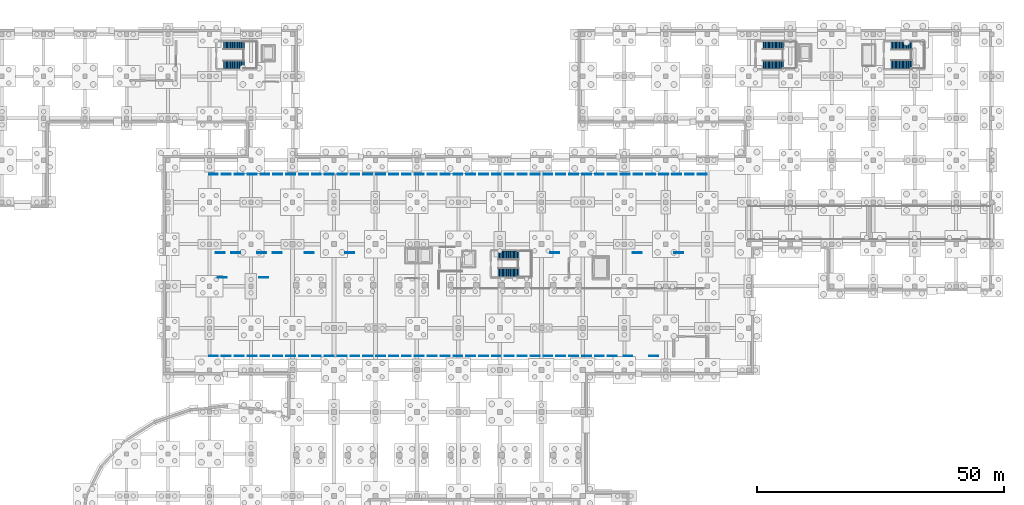
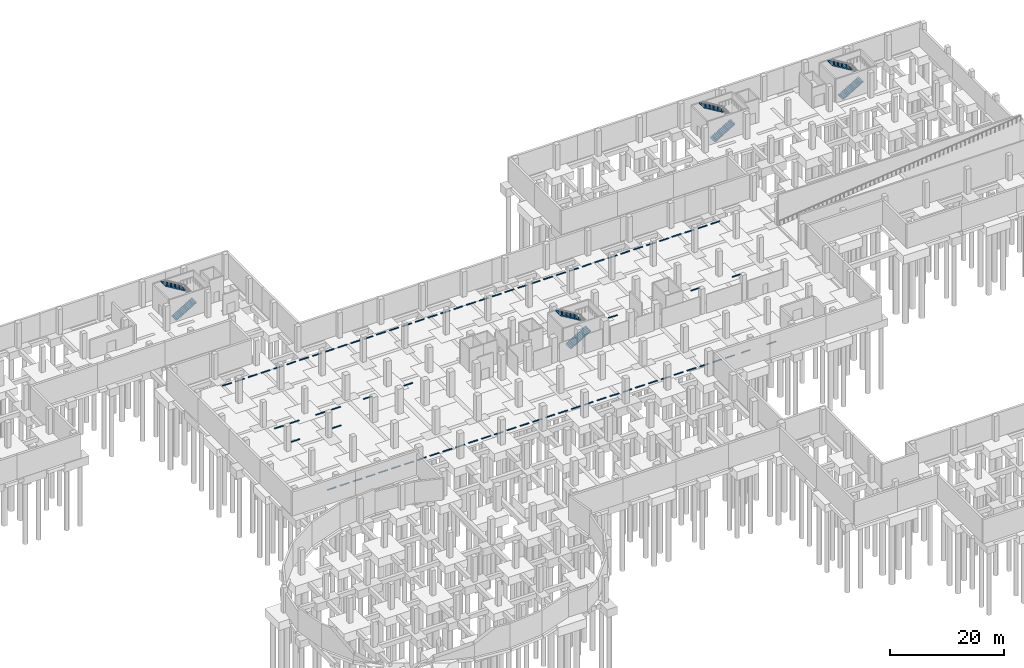
# One storey, part 31 of 34: 84 discrete accessories, 8 stair flights, 4 elements without a shape of their own.
"""IFC4 building model written with IfcOpenShell, lengths in metres."""

from ifc_helpers import new_model, si_unit, direction, frame, origin, origin_2d, place, context, subcontext, project, spatial, polyline, rectangle, outline, extrude, material, type_object, element, aggregate, save


model = new_model("IFC4")

# Units and contexts
model_context = context("Model", 3, precision=1e-05, world=origin(), true_north=direction((0.0, 1.0)))
body_context = subcontext(model_context, "Body", "Model", "MODEL_VIEW")
ifc_project = project(units=[si_unit("LENGTHUNIT", "METRE"), si_unit("AREAUNIT", "SQUARE_METRE"), si_unit("VOLUMEUNIT", "CUBIC_METRE"), si_unit("PLANEANGLEUNIT", "RADIAN"), si_unit("MASSUNIT", "GRAM", prefix="KILO")], contexts=[model_context])

# Site, building, storey
site_placement = place(None, origin())
site = spatial("IfcSite", under=ifc_project, at=site_placement, CompositionType="ELEMENT")
building_placement = place(site_placement, origin())
building = spatial("IfcBuilding", under=site, at=building_placement, Name="Solvento Point Concert Hall", CompositionType="ELEMENT")
storey_placement = place(building_placement, frame((0.0, 0.0, -5.39990234375)))
storey = spatial("IfcBuildingStorey", under=building, at=storey_placement, Name="B01", CompositionType="ELEMENT", Elevation=-5.39990234375)

# Stair, stair flights
ifc_material_1 = material(Name="Concrete C35/45", Category="concrete")
stair_type_1 = type_object("IfcStairType", Name="CoreStair_1600", PredefinedType="HALF_TURN_STAIR", material=ifc_material_1)
stair_1_placement = place(storey_placement, origin())
stair_1 = element("IfcStair", 1, at=stair_1_placement, inside=storey, type_object=stair_type_1, Name="Protected exit stair ST-01 (B01 to L00)", PredefinedType="HALF_TURN_STAIR")
ifc_material_2 = material(Name="Concrete C35/45", Category="concrete")
stair_flight_type_1 = type_object("IfcStairFlightType", Name="StairFlight_1600", PredefinedType="STRAIGHT", material=ifc_material_2)
stair_flight_1_placement = place(storey_placement, frame((169.64990234375, 129.89990234375, 0.0), z_axis=(0.0, 0.0, 1.0), x_axis=(1.0, 0.0, 0.0)))
stair_flight_1 = element("IfcStairFlight", 2, at=stair_flight_1_placement, type_object=stair_flight_type_1, Name="Stair flight ST-01 B01 lower", NumberOfRisers=16, NumberOfTreads=15, PredefinedType="STRAIGHT", RiserHeight=0.16875, TreadLength=0.28, context=body_context, shape_type="SweptSolid", body=[
    extrude(outline(polyline([(0.0, 0.0), (0.0, 0.168701171875), (0.280029296875, 0.168701171875), (0.280029296875, 0.33740234375), (0.56005859375, 0.33740234375), (0.56005859375, 0.50634765625), (0.840087890625, 0.50634765625), (0.840087890625, 0.675048828125), (1.1201171875, 0.675048828125), (1.1201171875, 0.84375), (1.39990234375, 0.84375), (1.39990234375, 1.012451171875), (1.679931640625, 1.012451171875), (1.679931640625, 1.18115234375), (1.9599609375, 1.18115234375), (1.9599609375, 1.35009765625), (2.239990234375, 1.35009765625), (2.239990234375, 1.518798828125), (2.52001953125, 1.518798828125), (2.52001953125, 1.6875), (2.800048828125, 1.6875), (2.800048828125, 1.856201171875), (3.080078125, 1.856201171875), (3.080078125, 2.02490234375), (3.360107421875, 2.02490234375), (3.360107421875, 2.19384765625), (3.639892578125, 2.19384765625), (3.639892578125, 2.362548828125), (3.919921875, 2.362548828125), (3.919921875, 2.53125), (4.199951171875, 2.53125), (4.199951171875, 2.699951171875), (4.199951171875, 2.3212890625), (0.3486328125, 0.0), (0.0, 0.0)])), frame((0.0, 0.800048828125, 0.0), z_axis=(0.0, -1.0, 0.0), x_axis=(1.0, 0.0, 0.0)), (0.0, 0.0, 1.0), 1.60009765625),
])
stair_flight_2_placement = place(storey_placement, frame((173.85009765625, 133.699951171875, 2.699951171875), z_axis=(0.0, 0.0, 1.0), x_axis=(-1.0, 0.0, 0.0)))
stair_flight_2 = element("IfcStairFlight", 3, at=stair_flight_2_placement, type_object=stair_flight_type_1, Name="Stair flight ST-01 B01 upper", NumberOfRisers=16, NumberOfTreads=15, PredefinedType="STRAIGHT", RiserHeight=0.16875, TreadLength=0.28, context=body_context, shape_type="SweptSolid", body=[
    extrude(outline(polyline([(0.0, 0.0), (0.0, 0.168701171875), (0.280029296875, 0.168701171875), (0.280029296875, 0.33740234375), (0.56005859375, 0.33740234375), (0.56005859375, 0.50634765625), (0.840087890625, 0.50634765625), (0.840087890625, 0.675048828125), (1.1201171875, 0.675048828125), (1.1201171875, 0.84375), (1.39990234375, 0.84375), (1.39990234375, 1.012451171875), (1.679931640625, 1.012451171875), (1.679931640625, 1.18115234375), (1.9599609375, 1.18115234375), (1.9599609375, 1.35009765625), (2.239990234375, 1.35009765625), (2.239990234375, 1.518798828125), (2.52001953125, 1.518798828125), (2.52001953125, 1.6875), (2.800048828125, 1.6875), (2.800048828125, 1.856201171875), (3.080078125, 1.856201171875), (3.080078125, 2.02490234375), (3.360107421875, 2.02490234375), (3.360107421875, 2.19384765625), (3.639892578125, 2.19384765625), (3.639892578125, 2.362548828125), (3.919921875, 2.362548828125), (3.919921875, 2.53125), (4.199951171875, 2.53125), (4.199951171875, 2.699951171875), (4.199951171875, 2.3212890625), (0.3486328125, 0.0), (0.0, 0.0)])), frame((0.0, 0.800048828125, 0.0), z_axis=(0.0, -1.0, 0.0), x_axis=(1.0, 0.0, 0.0)), (0.0, 0.0, 1.0), 1.60009765625),
])
aggregate(stair_1, [stair_flight_1, stair_flight_2])

stair_2_placement = place(storey_placement, origin())
stair_2 = element("IfcStair", 4, at=stair_2_placement, inside=storey, type_object=stair_type_1, Name="Protected exit stair ST-04 (B01 to L00)", PredefinedType="HALF_TURN_STAIR")
stair_flight_3_placement = place(storey_placement, frame((60.449951171875, 129.89990234375, 0.0), z_axis=(0.0, 0.0, 1.0), x_axis=(1.0, 0.0, 0.0)))
stair_flight_3 = element("IfcStairFlight", 5, at=stair_flight_3_placement, type_object=stair_flight_type_1, Name="Stair flight ST-04 B01 lower", NumberOfRisers=16, NumberOfTreads=15, PredefinedType="STRAIGHT", RiserHeight=0.16875, TreadLength=0.28, context=body_context, shape_type="SweptSolid", body=[
    extrude(outline(polyline([(0.0, 0.0), (0.0, 0.168701171875), (0.280029296875, 0.168701171875), (0.280029296875, 0.33740234375), (0.56005859375, 0.33740234375), (0.56005859375, 0.50634765625), (0.840087890625, 0.50634765625), (0.840087890625, 0.675048828125), (1.1201171875, 0.675048828125), (1.1201171875, 0.84375), (1.39990234375, 0.84375), (1.39990234375, 1.012451171875), (1.679931640625, 1.012451171875), (1.679931640625, 1.18115234375), (1.9599609375, 1.18115234375), (1.9599609375, 1.35009765625), (2.239990234375, 1.35009765625), (2.239990234375, 1.518798828125), (2.52001953125, 1.518798828125), (2.52001953125, 1.6875), (2.800048828125, 1.6875), (2.800048828125, 1.856201171875), (3.080078125, 1.856201171875), (3.080078125, 2.02490234375), (3.360107421875, 2.02490234375), (3.360107421875, 2.19384765625), (3.639892578125, 2.19384765625), (3.639892578125, 2.362548828125), (3.919921875, 2.362548828125), (3.919921875, 2.53125), (4.199951171875, 2.53125), (4.199951171875, 2.699951171875), (4.199951171875, 2.3212890625), (0.3486328125, 0.0), (0.0, 0.0)])), frame((0.0, 0.800048828125, 0.0), z_axis=(0.0, -1.0, 0.0), x_axis=(1.0, 0.0, 0.0)), (0.0, 0.0, 1.0), 1.60009765625),
])
stair_flight_4_placement = place(storey_placement, frame((64.64990234375, 133.699951171875, 2.699951171875), z_axis=(0.0, 0.0, 1.0), x_axis=(-1.0, 0.0, 0.0)))
stair_flight_4 = element("IfcStairFlight", 6, at=stair_flight_4_placement, type_object=stair_flight_type_1, Name="Stair flight ST-04 B01 upper", NumberOfRisers=16, NumberOfTreads=15, PredefinedType="STRAIGHT", RiserHeight=0.16875, TreadLength=0.28, context=body_context, shape_type="SweptSolid", body=[
    extrude(outline(polyline([(0.0, 0.0), (0.0, 0.168701171875), (0.280029296875, 0.168701171875), (0.280029296875, 0.33740234375), (0.56005859375, 0.33740234375), (0.56005859375, 0.50634765625), (0.840087890625, 0.50634765625), (0.840087890625, 0.675048828125), (1.1201171875, 0.675048828125), (1.1201171875, 0.84375), (1.39990234375, 0.84375), (1.39990234375, 1.012451171875), (1.679931640625, 1.012451171875), (1.679931640625, 1.18115234375), (1.9599609375, 1.18115234375), (1.9599609375, 1.35009765625), (2.239990234375, 1.35009765625), (2.239990234375, 1.518798828125), (2.52001953125, 1.518798828125), (2.52001953125, 1.6875), (2.800048828125, 1.6875), (2.800048828125, 1.856201171875), (3.080078125, 1.856201171875), (3.080078125, 2.02490234375), (3.360107421875, 2.02490234375), (3.360107421875, 2.19384765625), (3.639892578125, 2.19384765625), (3.639892578125, 2.362548828125), (3.919921875, 2.362548828125), (3.919921875, 2.53125), (4.199951171875, 2.53125), (4.199951171875, 2.699951171875), (4.199951171875, 2.3212890625), (0.3486328125, 0.0), (0.0, 0.0)])), frame((0.0, 0.800048828125, 0.0), z_axis=(0.0, -1.0, 0.0), x_axis=(1.0, 0.0, 0.0)), (0.0, 0.0, 1.0), 1.60009765625),
])
aggregate(stair_2, [stair_flight_3, stair_flight_4])

ifc_material_3 = material(Name="Concrete C35/45", Category="concrete")
stair_type_2 = type_object("IfcStairType", Name="CoreStair_1680", PredefinedType="HALF_TURN_STAIR", material=ifc_material_3)
stair_3_placement = place(storey_placement, origin())
stair_3 = element("IfcStair", 7, at=stair_3_placement, inside=storey, type_object=stair_type_2, Name="Protected exit stair ST-02 (B01 to L00)", PredefinedType="HALF_TURN_STAIR")
ifc_material_4 = material(Name="Concrete C35/45", Category="concrete")
stair_flight_type_2 = type_object("IfcStairFlightType", Name="StairFlight_1680", PredefinedType="STRAIGHT", material=ifc_material_4)
stair_flight_5_placement = place(storey_placement, frame((195.64990234375, 129.93994140625, 0.0), z_axis=(0.0, 0.0, 1.0), x_axis=(1.0, 0.0, 0.0)))
stair_flight_5 = element("IfcStairFlight", 8, at=stair_flight_5_placement, type_object=stair_flight_type_2, Name="Stair flight ST-02 B01 lower", NumberOfRisers=16, NumberOfTreads=15, PredefinedType="STRAIGHT", RiserHeight=0.16875, TreadLength=0.28, context=body_context, shape_type="SweptSolid", body=[
    extrude(outline(polyline([(0.0, 0.0), (0.0, 0.168701171875), (0.280029296875, 0.168701171875), (0.280029296875, 0.33740234375), (0.56005859375, 0.33740234375), (0.56005859375, 0.50634765625), (0.840087890625, 0.50634765625), (0.840087890625, 0.675048828125), (1.1201171875, 0.675048828125), (1.1201171875, 0.84375), (1.39990234375, 0.84375), (1.39990234375, 1.012451171875), (1.679931640625, 1.012451171875), (1.679931640625, 1.18115234375), (1.9599609375, 1.18115234375), (1.9599609375, 1.35009765625), (2.239990234375, 1.35009765625), (2.239990234375, 1.518798828125), (2.52001953125, 1.518798828125), (2.52001953125, 1.6875), (2.800048828125, 1.6875), (2.800048828125, 1.856201171875), (3.080078125, 1.856201171875), (3.080078125, 2.02490234375), (3.360107421875, 2.02490234375), (3.360107421875, 2.19384765625), (3.639892578125, 2.19384765625), (3.639892578125, 2.362548828125), (3.919921875, 2.362548828125), (3.919921875, 2.53125), (4.199951171875, 2.53125), (4.199951171875, 2.699951171875), (4.199951171875, 2.3212890625), (0.3486328125, 0.0), (0.0, 0.0)])), frame((0.0, 0.83984375, 0.0), z_axis=(0.0, -1.0, 0.0), x_axis=(1.0, 0.0, 0.0)), (0.0, 0.0, 1.0), 1.679931640625),
])
stair_flight_6_placement = place(storey_placement, frame((199.85009765625, 133.659912109375, 2.699951171875), z_axis=(0.0, 0.0, 1.0), x_axis=(-1.0, 0.0, 0.0)))
stair_flight_6 = element("IfcStairFlight", 9, at=stair_flight_6_placement, type_object=stair_flight_type_2, Name="Stair flight ST-02 B01 upper", NumberOfRisers=16, NumberOfTreads=15, PredefinedType="STRAIGHT", RiserHeight=0.16875, TreadLength=0.28, context=body_context, shape_type="SweptSolid", body=[
    extrude(outline(polyline([(0.0, 0.0), (0.0, 0.168701171875), (0.280029296875, 0.168701171875), (0.280029296875, 0.33740234375), (0.56005859375, 0.33740234375), (0.56005859375, 0.50634765625), (0.840087890625, 0.50634765625), (0.840087890625, 0.675048828125), (1.1201171875, 0.675048828125), (1.1201171875, 0.84375), (1.39990234375, 0.84375), (1.39990234375, 1.012451171875), (1.679931640625, 1.012451171875), (1.679931640625, 1.18115234375), (1.9599609375, 1.18115234375), (1.9599609375, 1.35009765625), (2.239990234375, 1.35009765625), (2.239990234375, 1.518798828125), (2.52001953125, 1.518798828125), (2.52001953125, 1.6875), (2.800048828125, 1.6875), (2.800048828125, 1.856201171875), (3.080078125, 1.856201171875), (3.080078125, 2.02490234375), (3.360107421875, 2.02490234375), (3.360107421875, 2.19384765625), (3.639892578125, 2.19384765625), (3.639892578125, 2.362548828125), (3.919921875, 2.362548828125), (3.919921875, 2.53125), (4.199951171875, 2.53125), (4.199951171875, 2.699951171875), (4.199951171875, 2.3212890625), (0.3486328125, 0.0), (0.0, 0.0)])), frame((0.0, 0.83984375, 0.0), z_axis=(0.0, -1.0, 0.0), x_axis=(1.0, 0.0, 0.0)), (0.0, 0.0, 1.0), 1.679931640625),
])
aggregate(stair_3, [stair_flight_5, stair_flight_6])

ifc_material_5 = material(Name="Concrete C35/45", Category="concrete")
stair_type_3 = type_object("IfcStairType", Name="CoreStair_1760", PredefinedType="HALF_TURN_STAIR", material=ifc_material_5)
stair_4_placement = place(storey_placement, origin())
stair_4 = element("IfcStair", 10, at=stair_4_placement, inside=storey, type_object=stair_type_3, Name="Protected exit stair ST-03 (B01 to L00)", PredefinedType="HALF_TURN_STAIR")
ifc_material_6 = material(Name="Concrete C35/45", Category="concrete")
stair_flight_type_3 = type_object("IfcStairFlightType", Name="StairFlight_1760", PredefinedType="STRAIGHT", material=ifc_material_6)
stair_flight_7_placement = place(storey_placement, frame((116.050048828125, 87.780029296875, 0.0), z_axis=(0.0, 0.0, 1.0), x_axis=(1.0, 0.0, 0.0)))
stair_flight_7 = element("IfcStairFlight", 11, at=stair_flight_7_placement, type_object=stair_flight_type_3, Name="Stair flight ST-03 B01 lower", NumberOfRisers=16, NumberOfTreads=15, PredefinedType="STRAIGHT", RiserHeight=0.16875, TreadLength=0.28, context=body_context, shape_type="SweptSolid", body=[
    extrude(outline(polyline([(0.0, 0.0), (0.0, 0.168701171875), (0.280029296875, 0.168701171875), (0.280029296875, 0.33740234375), (0.56005859375, 0.33740234375), (0.56005859375, 0.50634765625), (0.840087890625, 0.50634765625), (0.840087890625, 0.675048828125), (1.1201171875, 0.675048828125), (1.1201171875, 0.84375), (1.39990234375, 0.84375), (1.39990234375, 1.012451171875), (1.679931640625, 1.012451171875), (1.679931640625, 1.18115234375), (1.9599609375, 1.18115234375), (1.9599609375, 1.35009765625), (2.239990234375, 1.35009765625), (2.239990234375, 1.518798828125), (2.52001953125, 1.518798828125), (2.52001953125, 1.6875), (2.800048828125, 1.6875), (2.800048828125, 1.856201171875), (3.080078125, 1.856201171875), (3.080078125, 2.02490234375), (3.360107421875, 2.02490234375), (3.360107421875, 2.19384765625), (3.639892578125, 2.19384765625), (3.639892578125, 2.362548828125), (3.919921875, 2.362548828125), (3.919921875, 2.53125), (4.199951171875, 2.53125), (4.199951171875, 2.699951171875), (4.199951171875, 2.3212890625), (0.3486328125, 0.0), (0.0, 0.0)])), frame((0.0, 0.8798828125, 0.0), z_axis=(0.0, -1.0, 0.0), x_axis=(1.0, 0.0, 0.0)), (0.0, 0.0, 1.0), 1.760009765625),
])
stair_flight_8_placement = place(storey_placement, frame((120.25, 91.219970703125, 2.699951171875), z_axis=(0.0, 0.0, 1.0), x_axis=(-1.0, 0.0, 0.0)))
stair_flight_8 = element("IfcStairFlight", 12, at=stair_flight_8_placement, type_object=stair_flight_type_3, Name="Stair flight ST-03 B01 upper", NumberOfRisers=16, NumberOfTreads=15, PredefinedType="STRAIGHT", RiserHeight=0.16875, TreadLength=0.28, context=body_context, shape_type="SweptSolid", body=[
    extrude(outline(polyline([(0.0, 0.0), (0.0, 0.168701171875), (0.280029296875, 0.168701171875), (0.280029296875, 0.33740234375), (0.56005859375, 0.33740234375), (0.56005859375, 0.50634765625), (0.840087890625, 0.50634765625), (0.840087890625, 0.675048828125), (1.1201171875, 0.675048828125), (1.1201171875, 0.84375), (1.39990234375, 0.84375), (1.39990234375, 1.012451171875), (1.679931640625, 1.012451171875), (1.679931640625, 1.18115234375), (1.9599609375, 1.18115234375), (1.9599609375, 1.35009765625), (2.239990234375, 1.35009765625), (2.239990234375, 1.518798828125), (2.52001953125, 1.518798828125), (2.52001953125, 1.6875), (2.800048828125, 1.6875), (2.800048828125, 1.856201171875), (3.080078125, 1.856201171875), (3.080078125, 2.02490234375), (3.360107421875, 2.02490234375), (3.360107421875, 2.19384765625), (3.639892578125, 2.19384765625), (3.639892578125, 2.362548828125), (3.919921875, 2.362548828125), (3.919921875, 2.53125), (4.199951171875, 2.53125), (4.199951171875, 2.699951171875), (4.199951171875, 2.3212890625), (0.3486328125, 0.0), (0.0, 0.0)])), frame((0.0, 0.8798828125, 0.0), z_axis=(0.0, -1.0, 0.0), x_axis=(1.0, 0.0, 0.0)), (0.0, 0.0, 1.0), 1.760009765625),
])
aggregate(stair_4, [stair_flight_7, stair_flight_8])

# Discrete accessories
ifc_material_7 = material(Name="High-density vulcanized rubber wheel stop")
discrete_accessory_type_1 = type_object("IfcDiscreteAccessoryType", Name="WheelStop_ADA", PredefinedType="USERDEFINED", material=ifc_material_7)
for number, where, z_axis, x_axis, name in (
    (13, (60.199951171875, 86.75, -0.000244140625), (0.0, 0.0, 1.0), (1.0, 0.0, 0.0), "Accessible parking bay wheel stop PKA-01"),
    (14, (68.60009765625, 86.75, -0.000244140625), (0.0, 0.0, 1.0), (1.0, 0.0, 0.0), "Accessible parking bay wheel stop PKA-02"),
    (15, (142.35009765625, 70.85009765625, -0.000244140625), (0.0, 0.0, 1.0), (1.0, 0.0, 0.0), "Accessible parking bay wheel stop PKA-03"),
    (16, (147.550048828125, 70.85009765625, -0.000244140625), (0.0, 0.0, 1.0), (1.0, 0.0, 0.0), "Accessible parking bay wheel stop PKA-04"),
    (17, (77.800048828125, 91.75, -0.000244140625), (0.0, 0.0, 1.0), (1.0, 0.0, 0.0), "Accessible parking bay wheel stop PKA-05"),
    (18, (86.0, 91.75, -0.000244140625), (0.0, 0.0, 1.0), (1.0, 0.0, 0.0), "Accessible parking bay wheel stop PKA-06"),
    (19, (144.199951171875, 91.75, -0.000244140625), (0.0, 0.0, 1.0), (1.0, 0.0, 0.0), "Accessible parking bay wheel stop PKA-07"),
    (20, (152.60009765625, 91.75, -0.000244140625), (0.0, 0.0, 1.0), (1.0, 0.0, 0.0), "Accessible parking bay wheel stop PKA-08"),
):
    element("IfcDiscreteAccessory", number, at=place(storey_placement, frame(where, z_axis=z_axis, x_axis=x_axis)), inside=storey, type_object=discrete_accessory_type_1, Name=name, ObjectType="WHEEL STOP", PredefinedType="USERDEFINED", context=body_context, shape_type="SweptSolid", body=[
        extrude(rectangle(XDim=1.800048828125, YDim=0.179931640625, at=origin_2d()), origin(), (0.0, 0.0, 1.0), 0.1201171875),
    ])
ifc_material_8 = material(Name="High-density vulcanized rubber wheel stop")
discrete_accessory_type_2 = type_object("IfcDiscreteAccessoryType", Name="WheelStop_Std", PredefinedType="USERDEFINED", material=ifc_material_8)
for number, where, z_axis, x_axis, name in (
    (21, (58.419921875, 70.85009765625, -0.000244140625), (0.0, 0.0, 1.0), (1.0, 0.0, 0.0), "Parking bay wheel stop PKB-01"),
    (22, (61.02490234375, 70.85009765625, -0.000244140625), (0.0, 0.0, 1.0), (1.0, 0.0, 0.0), "Parking bay wheel stop PKB-02"),
    (23, (63.6298828125, 70.85009765625, -0.000244140625), (0.0, 0.0, 1.0), (1.0, 0.0, 0.0), "Parking bay wheel stop PKB-03"),
    (24, (66.235107421875, 70.85009765625, -0.000244140625), (0.0, 0.0, 1.0), (1.0, 0.0, 0.0), "Parking bay wheel stop PKB-04"),
    (25, (68.840087890625, 70.85009765625, -0.000244140625), (0.0, 0.0, 1.0), (1.0, 0.0, 0.0), "Parking bay wheel stop PKB-05"),
    (26, (71.445068359375, 70.85009765625, -0.000244140625), (0.0, 0.0, 1.0), (1.0, 0.0, 0.0), "Parking bay wheel stop PKB-06"),
    (27, (74.050048828125, 70.85009765625, -0.000244140625), (0.0, 0.0, 1.0), (1.0, 0.0, 0.0), "Parking bay wheel stop PKB-07"),
    (28, (76.655029296875, 70.85009765625, -0.000244140625), (0.0, 0.0, 1.0), (1.0, 0.0, 0.0), "Parking bay wheel stop PKB-08"),
    (29, (79.260009765625, 70.85009765625, -0.000244140625), (0.0, 0.0, 1.0), (1.0, 0.0, 0.0), "Parking bay wheel stop PKB-09"),
    (30, (81.864990234375, 70.85009765625, -0.000244140625), (0.0, 0.0, 1.0), (1.0, 0.0, 0.0), "Parking bay wheel stop PKB-10"),
    (31, (84.469970703125, 70.85009765625, -0.000244140625), (0.0, 0.0, 1.0), (1.0, 0.0, 0.0), "Parking bay wheel stop PKB-11"),
    (32, (87.074951171875, 70.85009765625, -0.000244140625), (0.0, 0.0, 1.0), (1.0, 0.0, 0.0), "Parking bay wheel stop PKB-12"),
    (33, (89.679931640625, 70.85009765625, -0.000244140625), (0.0, 0.0, 1.0), (1.0, 0.0, 0.0), "Parking bay wheel stop PKB-13"),
    (34, (92.284912109375, 70.85009765625, -0.000244140625), (0.0, 0.0, 1.0), (1.0, 0.0, 0.0), "Parking bay wheel stop PKB-14"),
    (35, (94.889892578125, 70.85009765625, -0.000244140625), (0.0, 0.0, 1.0), (1.0, 0.0, 0.0), "Parking bay wheel stop PKB-15"),
    (36, (97.4951171875, 70.85009765625, -0.000244140625), (0.0, 0.0, 1.0), (1.0, 0.0, 0.0), "Parking bay wheel stop PKB-16"),
    (37, (100.10009765625, 70.85009765625, -0.000244140625), (0.0, 0.0, 1.0), (1.0, 0.0, 0.0), "Parking bay wheel stop PKB-17"),
    (38, (102.705078125, 70.85009765625, -0.000244140625), (0.0, 0.0, 1.0), (1.0, 0.0, 0.0), "Parking bay wheel stop PKB-18"),
    (39, (105.31005859375, 70.85009765625, -0.000244140625), (0.0, 0.0, 1.0), (1.0, 0.0, 0.0), "Parking bay wheel stop PKB-19"),
    (40, (107.9150390625, 70.85009765625, -0.000244140625), (0.0, 0.0, 1.0), (1.0, 0.0, 0.0), "Parking bay wheel stop PKB-20"),
    (41, (110.52001953125, 70.85009765625, -0.000244140625), (0.0, 0.0, 1.0), (1.0, 0.0, 0.0), "Parking bay wheel stop PKB-21"),
    (42, (113.125, 70.85009765625, -0.000244140625), (0.0, 0.0, 1.0), (1.0, 0.0, 0.0), "Parking bay wheel stop PKB-22"),
    (43, (115.72998046875, 70.85009765625, -0.000244140625), (0.0, 0.0, 1.0), (1.0, 0.0, 0.0), "Parking bay wheel stop PKB-23"),
    (44, (118.3349609375, 70.85009765625, -0.000244140625), (0.0, 0.0, 1.0), (1.0, 0.0, 0.0), "Parking bay wheel stop PKB-24"),
    (45, (120.93994140625, 70.85009765625, -0.000244140625), (0.0, 0.0, 1.0), (1.0, 0.0, 0.0), "Parking bay wheel stop PKB-25"),
    (46, (123.544921875, 70.85009765625, -0.000244140625), (0.0, 0.0, 1.0), (1.0, 0.0, 0.0), "Parking bay wheel stop PKB-26"),
    (47, (126.14990234375, 70.85009765625, -0.000244140625), (0.0, 0.0, 1.0), (1.0, 0.0, 0.0), "Parking bay wheel stop PKB-27"),
    (48, (128.7548828125, 70.85009765625, -0.000244140625), (0.0, 0.0, 1.0), (1.0, 0.0, 0.0), "Parking bay wheel stop PKB-28"),
    (49, (131.360107421875, 70.85009765625, -0.000244140625), (0.0, 0.0, 1.0), (1.0, 0.0, 0.0), "Parking bay wheel stop PKB-29"),
    (50, (133.965087890625, 70.85009765625, -0.000244140625), (0.0, 0.0, 1.0), (1.0, 0.0, 0.0), "Parking bay wheel stop PKB-30"),
    (51, (136.570068359375, 70.85009765625, -0.000244140625), (0.0, 0.0, 1.0), (1.0, 0.0, 0.0), "Parking bay wheel stop PKB-31"),
    (52, (139.175048828125, 70.85009765625, -0.000244140625), (0.0, 0.0, 1.0), (1.0, 0.0, 0.0), "Parking bay wheel stop PKB-32"),
    (53, (58.419921875, 107.64990234375, -0.000244140625), (0.0, 0.0, 1.0), (1.0, 0.0, 0.0), "Parking bay wheel stop PKB-33"),
    (54, (61.02490234375, 107.64990234375, -0.000244140625), (0.0, 0.0, 1.0), (1.0, 0.0, 0.0), "Parking bay wheel stop PKB-34"),
    (55, (63.6298828125, 107.64990234375, -0.000244140625), (0.0, 0.0, 1.0), (1.0, 0.0, 0.0), "Parking bay wheel stop PKB-35"),
    (56, (66.235107421875, 107.64990234375, -0.000244140625), (0.0, 0.0, 1.0), (1.0, 0.0, 0.0), "Parking bay wheel stop PKB-36"),
    (57, (68.840087890625, 107.64990234375, -0.000244140625), (0.0, 0.0, 1.0), (1.0, 0.0, 0.0), "Parking bay wheel stop PKB-37"),
    (58, (71.445068359375, 107.64990234375, -0.000244140625), (0.0, 0.0, 1.0), (1.0, 0.0, 0.0), "Parking bay wheel stop PKB-38"),
    (59, (74.050048828125, 107.64990234375, -0.000244140625), (0.0, 0.0, 1.0), (1.0, 0.0, 0.0), "Parking bay wheel stop PKB-39"),
    (60, (76.655029296875, 107.64990234375, -0.000244140625), (0.0, 0.0, 1.0), (1.0, 0.0, 0.0), "Parking bay wheel stop PKB-40"),
    (61, (79.260009765625, 107.64990234375, -0.000244140625), (0.0, 0.0, 1.0), (1.0, 0.0, 0.0), "Parking bay wheel stop PKB-41"),
    (62, (81.864990234375, 107.64990234375, -0.000244140625), (0.0, 0.0, 1.0), (1.0, 0.0, 0.0), "Parking bay wheel stop PKB-42"),
    (63, (84.469970703125, 107.64990234375, -0.000244140625), (0.0, 0.0, 1.0), (1.0, 0.0, 0.0), "Parking bay wheel stop PKB-43"),
    (64, (87.074951171875, 107.64990234375, -0.000244140625), (0.0, 0.0, 1.0), (1.0, 0.0, 0.0), "Parking bay wheel stop PKB-44"),
    (65, (89.679931640625, 107.64990234375, -0.000244140625), (0.0, 0.0, 1.0), (1.0, 0.0, 0.0), "Parking bay wheel stop PKB-45"),
    (66, (92.284912109375, 107.64990234375, -0.000244140625), (0.0, 0.0, 1.0), (1.0, 0.0, 0.0), "Parking bay wheel stop PKB-46"),
    (67, (94.889892578125, 107.64990234375, -0.000244140625), (0.0, 0.0, 1.0), (1.0, 0.0, 0.0), "Parking bay wheel stop PKB-47"),
    (68, (97.4951171875, 107.64990234375, -0.000244140625), (0.0, 0.0, 1.0), (1.0, 0.0, 0.0), "Parking bay wheel stop PKB-48"),
    (69, (100.10009765625, 107.64990234375, -0.000244140625), (0.0, 0.0, 1.0), (1.0, 0.0, 0.0), "Parking bay wheel stop PKB-49"),
    (70, (102.705078125, 107.64990234375, -0.000244140625), (0.0, 0.0, 1.0), (1.0, 0.0, 0.0), "Parking bay wheel stop PKB-50"),
    (71, (105.31005859375, 107.64990234375, -0.000244140625), (0.0, 0.0, 1.0), (1.0, 0.0, 0.0), "Parking bay wheel stop PKB-51"),
    (72, (107.9150390625, 107.64990234375, -0.000244140625), (0.0, 0.0, 1.0), (1.0, 0.0, 0.0), "Parking bay wheel stop PKB-52"),
    (73, (110.52001953125, 107.64990234375, -0.000244140625), (0.0, 0.0, 1.0), (1.0, 0.0, 0.0), "Parking bay wheel stop PKB-53"),
    (74, (113.125, 107.64990234375, -0.000244140625), (0.0, 0.0, 1.0), (1.0, 0.0, 0.0), "Parking bay wheel stop PKB-54"),
    (75, (115.72998046875, 107.64990234375, -0.000244140625), (0.0, 0.0, 1.0), (1.0, 0.0, 0.0), "Parking bay wheel stop PKB-55"),
    (76, (118.3349609375, 107.64990234375, -0.000244140625), (0.0, 0.0, 1.0), (1.0, 0.0, 0.0), "Parking bay wheel stop PKB-56"),
    (77, (120.93994140625, 107.64990234375, -0.000244140625), (0.0, 0.0, 1.0), (1.0, 0.0, 0.0), "Parking bay wheel stop PKB-57"),
    (78, (123.544921875, 107.64990234375, -0.000244140625), (0.0, 0.0, 1.0), (1.0, 0.0, 0.0), "Parking bay wheel stop PKB-58"),
    (79, (126.14990234375, 107.64990234375, -0.000244140625), (0.0, 0.0, 1.0), (1.0, 0.0, 0.0), "Parking bay wheel stop PKB-59"),
    (80, (128.7548828125, 107.64990234375, -0.000244140625), (0.0, 0.0, 1.0), (1.0, 0.0, 0.0), "Parking bay wheel stop PKB-60"),
    (81, (131.360107421875, 107.64990234375, -0.000244140625), (0.0, 0.0, 1.0), (1.0, 0.0, 0.0), "Parking bay wheel stop PKB-61"),
    (82, (133.965087890625, 107.64990234375, -0.000244140625), (0.0, 0.0, 1.0), (1.0, 0.0, 0.0), "Parking bay wheel stop PKB-62"),
    (83, (136.570068359375, 107.64990234375, -0.000244140625), (0.0, 0.0, 1.0), (1.0, 0.0, 0.0), "Parking bay wheel stop PKB-63"),
    (84, (139.175048828125, 107.64990234375, -0.000244140625), (0.0, 0.0, 1.0), (1.0, 0.0, 0.0), "Parking bay wheel stop PKB-64"),
    (85, (141.780029296875, 107.64990234375, -0.000244140625), (0.0, 0.0, 1.0), (1.0, 0.0, 0.0), "Parking bay wheel stop PKB-65"),
    (86, (144.385009765625, 107.64990234375, -0.000244140625), (0.0, 0.0, 1.0), (1.0, 0.0, 0.0), "Parking bay wheel stop PKB-66"),
    (87, (146.989990234375, 107.64990234375, -0.000244140625), (0.0, 0.0, 1.0), (1.0, 0.0, 0.0), "Parking bay wheel stop PKB-67"),
    (88, (149.594970703125, 107.64990234375, -0.000244140625), (0.0, 0.0, 1.0), (1.0, 0.0, 0.0), "Parking bay wheel stop PKB-68"),
    (89, (152.199951171875, 107.64990234375, -0.000244140625), (0.0, 0.0, 1.0), (1.0, 0.0, 0.0), "Parking bay wheel stop PKB-69"),
    (90, (154.804931640625, 107.64990234375, -0.000244140625), (0.0, 0.0, 1.0), (1.0, 0.0, 0.0), "Parking bay wheel stop PKB-70"),
    (91, (157.409912109375, 107.64990234375, -0.000244140625), (0.0, 0.0, 1.0), (1.0, 0.0, 0.0), "Parking bay wheel stop PKB-71"),
    (92, (59.75, 91.75, -0.000244140625), (0.0, 0.0, 1.0), (1.0, 0.0, 0.0), "Parking bay wheel stop PKB-72"),
    (93, (62.949951171875, 91.75, -0.000244140625), (0.0, 0.0, 1.0), (1.0, 0.0, 0.0), "Parking bay wheel stop PKB-73"),
    (94, (68.14990234375, 91.75, -0.000244140625), (0.0, 0.0, 1.0), (1.0, 0.0, 0.0), "Parking bay wheel stop PKB-74"),
    (95, (71.35009765625, 91.75, -0.000244140625), (0.0, 0.0, 1.0), (1.0, 0.0, 0.0), "Parking bay wheel stop PKB-75"),
    (96, (127.5, 91.75, -0.000244140625), (0.0, 0.0, 1.0), (1.0, 0.0, 0.0), "Parking bay wheel stop PKB-76"),
):
    element("IfcDiscreteAccessory", number, at=place(storey_placement, frame(where, z_axis=z_axis, x_axis=x_axis)), inside=storey, type_object=discrete_accessory_type_2, Name=name, ObjectType="WHEEL STOP", PredefinedType="USERDEFINED", context=body_context, shape_type="SweptSolid", body=[
        extrude(rectangle(XDim=1.800048828125, YDim=0.179931640625, at=origin_2d()), origin(), (0.0, 0.0, 1.0), 0.1201171875),
    ])

save(model, "model.ifc")
